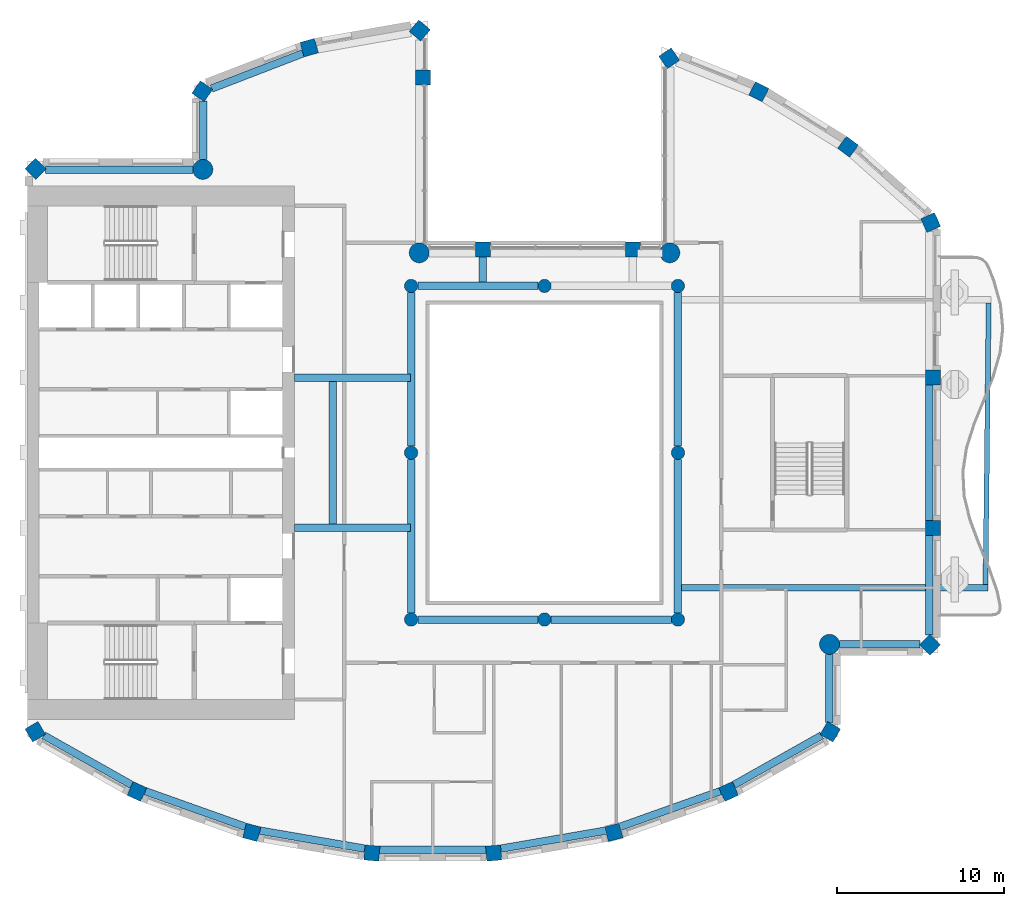
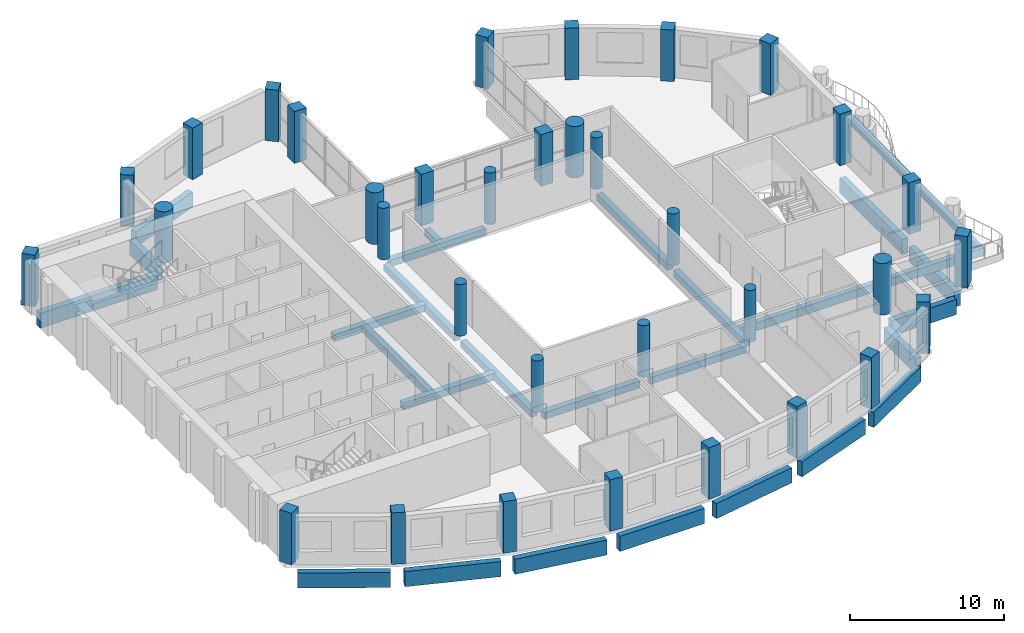
# One storey, part 1 of 15: 34 columns, 27 beams.
"""IFC4 building model written with IfcOpenShell, lengths in metres."""

from ifc_helpers import new_model, si_unit, direction, frame, origin, origin_2d, place, context, subcontext, project, spatial, rectangle, circle, extrude, material, material_profile, profile_set, type_object, element, save


model = new_model("IFC4")

# Units and contexts
model_context = context("Model", 3, precision=1e-05, world=origin(), true_north=direction((0.0, 1.0)))
body_context = subcontext(model_context, "Body", "Model", "MODEL_VIEW")
ifc_project = project(units=[si_unit("LENGTHUNIT", "METRE"), si_unit("AREAUNIT", "SQUARE_METRE"), si_unit("VOLUMEUNIT", "CUBIC_METRE"), si_unit("PLANEANGLEUNIT", "RADIAN"), si_unit("MASSUNIT", "GRAM", prefix="KILO")], contexts=[model_context])

# Site, building, storey
site_placement = place(None, origin())
site = spatial("IfcSite", under=ifc_project, at=site_placement, CompositionType="ELEMENT")
building_placement = place(site_placement, origin())
building = spatial("IfcBuilding", under=site, at=building_placement, Name="Cypress Arch Tower", CompositionType="ELEMENT")
storey_placement = place(building_placement, frame((0.0, 0.0, 321.300048828125)))
storey = spatial("IfcBuildingStorey", under=building, at=storey_placement, Name="L73", CompositionType="ELEMENT", Elevation=321.300048828125)

# Columns
ifc_material_1 = material(Name="Concrete C60/75", Category="concrete")
ifc_material_profile_1 = material_profile(ifc_material_1, rectangle(XDim=0.89990234375, YDim=0.89990234375, at=origin_2d()), Name="RC 900x900")
ifc_profile_set_1 = profile_set([ifc_material_profile_1], Name="Concrete C60/75")
column_type_1 = type_object("IfcColumnType", Name="Column RC 900x900 Concrete C60/75", PredefinedType="COLUMN", material=ifc_profile_set_1)
for number, where, z_axis, x_axis, name in (
    (1, (8.474853515625, 23.6474609375, 0.0), (0.0, 0.0, 1.0), (-0.828469606019, -0.560034027451, 0.0), "Column L73 CC00"),
    (2, (6.300048828125, 12.199951171875, 0.0), (0.0, 0.0, 1.0), (-1.0, 0.0, 0.0), "Column L73 CC02"),
    (3, (-2.699951171875, 12.199951171875, 0.0), (0.0, 0.0, 1.0), (-1.0, 0.0, 0.0), "Column L73 CC03"),
    (4, (-6.300048828125, 22.5, 0.0), (0.0, 0.0, 1.0), (0.0, 1.0, 0.0), "Column L73 CC05"),
    (5, (-6.48388671875, 25.313232421875, 0.0), (0.0, 0.0, 1.0), (-0.766063514674, 0.642764880407, 0.0), "Column L73 CC06"),
    (6, (-13.108154296875, 24.28955078125, 0.0), (0.0, 0.0, 1.0), (-0.96345574646, -0.267867550506, 0.0), "Column L73 CC07"),
    (7, (-19.5244140625, 21.673583984375, 0.0), (0.0, 0.0, 1.0), (-0.565892599589, -0.824478966215, 0.0), "Column L73 CC08"),
    (8, (-29.513671875, 17.013671875, 0.0), (0.0, 0.0, 1.0), (-0.707106781187, -0.707106781187, 0.0), "Column L73 CC10"),
    (9, (-29.534423828125, -16.72802734375, 0.0), (0.0, 0.0, 1.0), (0.504399289829, -0.86347053014, 0.0), "Column L73 CC11"),
    (10, (-23.439697265625, -20.312255859375, 0.0), (0.0, 0.0, 1.0), (0.909932071487, -0.414757308891, 0.0), "Column L73 CC12"),
    (11, (-16.55419921875, -22.762939453125, 0.0), (0.0, 0.0, 1.0), (0.96735573689, -0.2534223319, 0.0), "Column L73 CC13"),
    (12, (-9.351318359375, -24.00341796875, 0.0), (0.0, 0.0, 1.0), (0.996368206733, -0.085149260784, 0.0), "Column L73 CC14"),
    (13, (-2.048828125, -24.00341796875, 0.0), (0.0, 0.0, 1.0), (0.996368206733, 0.085149260784, 0.0), "Column L73 CC15"),
    (14, (5.154296875, -22.762939453125, 0.0), (0.0, 0.0, 1.0), (0.96735573689, 0.2534223319, 0.0), "Column L73 CC16"),
    (15, (12.039794921875, -20.312255859375, 0.0), (0.0, 0.0, 1.0), (0.909932071487, 0.414757308891, 0.0), "Column L73 CC17"),
    (16, (18.134521484375, -16.72802734375, 0.0), (0.0, 0.0, 1.0), (0.504399289829, 0.86347053014, 0.0), "Column L73 CC18"),
    (17, (24.113525390625, -11.513671875, 0.0), (0.0, 0.0, 1.0), (0.707106781187, 0.707106781187, 0.0), "Column L73 CC20"),
    (18, (24.300048828125, -4.5, 0.0), (0.0, 0.0, 1.0), (0.0, 1.0, 0.0), "Column L73 CC21"),
    (19, (24.300048828125, 4.5, 0.0), (0.0, 0.0, 1.0), (0.0, 1.0, 0.0), "Column L73 CC22"),
    (20, (24.155029296875, 13.800048828125, 0.0), (0.0, 0.0, 1.0), (-0.409765058504, 0.912191096662, 0.0), "Column L73 CC23"),
    (21, (19.197998046875, 18.347900390625, 0.0), (0.0, 0.0, 1.0), (-0.802798546114, 0.596250362144, 0.0), "Column L73 CC24"),
    (22, (13.84814453125, 21.638427734375, 0.0), (0.0, 0.0, 1.0), (-0.893106499805, 0.44984528452, 0.0), "Column L73 CC25"),
):
    element("IfcColumn", number, at=place(storey_placement, frame(where, z_axis=z_axis, x_axis=x_axis)), inside=storey, type_object=column_type_1, Name=name, PredefinedType="COLUMN", context=body_context, shape_type="SweptSolid", body=[
        extrude(rectangle(XDim=0.89990234375, YDim=0.89990234375, at=origin_2d()), origin(), (0.0, 0.0, 1.0), 4.099853515625),
    ])
ifc_material_2 = material(Name="Concrete C60/75", Category="concrete")
ifc_material_profile_2 = material_profile(ifc_material_2, circle(Radius=0.39990234375, at=origin_2d()), Name="RC D800")
ifc_profile_set_2 = profile_set([ifc_material_profile_2], Name="Concrete C60/75")
column_type_2 = type_object("IfcColumnType", Name="Column RC D800 Concrete C60/75", PredefinedType="COLUMN", material=ifc_profile_set_2)
for number, where, z_axis, x_axis, name in (
    (23, (-7.0, -10.0, 0.0), (0.0, 0.0, 1.0), (1.0, 0.0, 0.0), "Column L73 RNG-L73-G-7-10"),
    (24, (-7.0, 0.0, 0.0), (0.0, 0.0, 1.0), (1.0, 0.0, 0.0), "Column L73 RNG-L73-G-7+0"),
    (25, (-7.0, 10.0, 0.0), (0.0, 0.0, 1.0), (1.0, 0.0, 0.0), "Column L73 RNG-L73-G-7+10"),
    (26, (1.0, -10.0, 0.0), (0.0, 0.0, 1.0), (1.0, 0.0, 0.0), "Column L73 RNG-L73-G+1-10"),
    (27, (1.0, 10.0, 0.0), (0.0, 0.0, 1.0), (1.0, 0.0, 0.0), "Column L73 RNG-L73-G+1+10"),
    (28, (9.0, -10.0, 0.0), (0.0, 0.0, 1.0), (1.0, 0.0, 0.0), "Column L73 RNG-L73-G+9-10"),
    (29, (9.0, 0.0, 0.0), (0.0, 0.0, 1.0), (1.0, 0.0, 0.0), "Column L73 RNG-L73-G+9+0"),
    (30, (9.0, 10.0, 0.0), (0.0, 0.0, 1.0), (1.0, 0.0, 0.0), "Column L73 RNG-L73-G+9+10"),
):
    element("IfcColumn", number, at=place(storey_placement, frame(where, z_axis=z_axis, x_axis=x_axis)), inside=storey, type_object=column_type_2, Name=name, PredefinedType="COLUMN", context=body_context, shape_type="SweptSolid", body=[
        extrude(circle(Radius=0.39990234375, at=origin_2d()), origin(), (0.0, 0.0, 1.0), 4.099853515625),
    ])
ifc_material_3 = material(Name="Concrete C60/75", Category="concrete")
ifc_material_profile_3 = material_profile(ifc_material_3, circle(Radius=0.60009765625, at=origin_2d()), Name="RC D1200")
ifc_profile_set_3 = profile_set([ifc_material_profile_3], Name="Concrete C60/75")
column_type_3 = type_object("IfcColumnType", Name="Mega-column RC D1200 Concrete C60/75", PredefinedType="COLUMN", material=ifc_profile_set_3)
for number, where, z_axis, x_axis, name in (
    (31, (8.51220703125, 11.98779296875, 0.0), (0.0, 0.0, 1.0), (1.0, 0.0, 0.0), "Column L73 CC01"),
    (32, (-6.51220703125, 11.98779296875, 0.0), (0.0, 0.0, 1.0), (1.0, 0.0, 0.0), "Column L73 CC04"),
    (33, (-19.48779296875, 16.98779296875, 0.0), (0.0, 0.0, 1.0), (1.0, 0.0, 0.0), "Column L73 CC09"),
    (34, (18.087890625, -11.48779296875, 0.0), (0.0, 0.0, 1.0), (1.0, 0.0, 0.0), "Column L73 CC19"),
):
    element("IfcColumn", number, at=place(storey_placement, frame(where, z_axis=z_axis, x_axis=x_axis)), inside=storey, type_object=column_type_3, Name=name, PredefinedType="COLUMN", context=body_context, shape_type="SweptSolid", body=[
        extrude(circle(Radius=0.60009765625, at=origin_2d()), origin(), (0.0, 0.0, 1.0), 4.099853515625),
    ])

# Beams
ifc_material_4 = material(Name="Concrete C50/60", Category="concrete")
ifc_material_profile_4 = material_profile(ifc_material_4, rectangle(XDim=0.300048828125, YDim=0.64990234375, at=origin_2d()), Name="RC 300x650")
ifc_profile_set_4 = profile_set([ifc_material_profile_4], Name="Concrete C50/60")
beam_type_1 = type_object("IfcBeamType", Name="Balcony edge beam RC 300x650 Concrete C50/60", PredefinedType="BEAM", material=ifc_profile_set_4)
beam_1_placement = place(storey_placement, frame((27.44189453125, -7.89990234375, -0.625), z_axis=(0.011134362027, 0.99993801107, 0.0), x_axis=(-0.99993801107, 0.011134362027, 0.0)))
element("IfcBeam", 35, at=beam_1_placement, inside=storey, type_object=beam_type_1, Name="Balcony edge beam L73 C17", PredefinedType="BEAM", context=body_context, shape_type="SweptSolid", body=[
    extrude(rectangle(XDim=0.300048828125, YDim=0.64990234375, at=origin_2d()), origin(), (0.0, 0.0, 1.0), 16.883544921875),
])
ifc_material_5 = material(Name="Concrete C50/60", Category="concrete")
ifc_material_profile_5 = material_profile(ifc_material_5, rectangle(XDim=0.39990234375, YDim=0.64990234375, at=origin_2d()), Name="RC 400x650")
ifc_profile_set_5 = profile_set([ifc_material_profile_5], Name="Concrete C50/60")
beam_type_2 = type_object("IfcBeamType", Name="Cantilever beam RC 400x650 Concrete C50/60", PredefinedType="BEAM", material=ifc_profile_set_5)
beam_2_placement = place(storey_placement, frame((9.22509765625, -8.10009765625, -0.625), z_axis=(1.0, 0.0, 0.0), x_axis=(0.0, 1.0, 0.0)))
element("IfcBeam", 36, at=beam_2_placement, inside=storey, type_object=beam_type_2, Name="Cantilever beam L73 C17 1", PredefinedType="BEAM", context=body_context, shape_type="SweptSolid", body=[
    extrude(rectangle(XDim=0.39990234375, YDim=0.64990234375, at=origin_2d()), origin(), (0.0, 0.0, 1.0), 18.36669921875),
])
ifc_material_6 = material(Name="Concrete C50/60", Category="concrete")
ifc_material_profile_6 = material_profile(ifc_material_6, rectangle(XDim=0.449951171875, YDim=0.550048828125, at=origin_2d()), Name="RC 450x550")
ifc_profile_set_6 = profile_set([ifc_material_profile_6], Name="Concrete C50/60")
beam_type_3 = type_object("IfcBeamType", Name="Floor beam RC 450x550 Concrete C50/60", PredefinedType="BEAM", material=ifc_profile_set_6)
for number, where, z_axis, x_axis, name in (
    (37, (-7.0, -9.60009765625, -0.574951171875), (0.0, 1.0, 0.0), (-1.0, 0.0, 0.0), "Floor beam L73 RB001"),
    (38, (-7.0, 0.39990234375, -0.574951171875), (0.0, 1.0, 0.0), (-1.0, 0.0, 0.0), "Floor beam L73 RB002"),
    (39, (9.0, -9.60009765625, -0.574951171875), (0.0, 1.0, 0.0), (-1.0, 0.0, 0.0), "Floor beam L73 RB003"),
    (40, (9.0, 0.39990234375, -0.574951171875), (0.0, 1.0, 0.0), (-1.0, 0.0, 0.0), "Floor beam L73 RB004"),
):
    element("IfcBeam", number, at=place(storey_placement, frame(where, z_axis=z_axis, x_axis=x_axis)), inside=storey, type_object=beam_type_3, Name=name, PredefinedType="BEAM", context=body_context, shape_type="SweptSolid", body=[
        extrude(rectangle(XDim=0.449951171875, YDim=0.550048828125, at=origin_2d()), origin(), (0.0, 0.0, 1.0), 9.2001953125),
    ])
for number, where, z_axis, x_axis, name in (
    (41, (-6.60009765625, -10.0, -0.574951171875), (1.0, 0.0, 0.0), (0.0, 1.0, 0.0), "Floor beam L73 RB005"),
    (42, (1.39990234375, -10.0, -0.574951171875), (1.0, 0.0, 0.0), (0.0, 1.0, 0.0), "Floor beam L73 RB006"),
    (43, (-6.60009765625, 10.0, -0.574951171875), (1.0, 0.0, 0.0), (0.0, 1.0, 0.0), "Floor beam L73 RB007"),
):
    element("IfcBeam", number, at=place(storey_placement, frame(where, z_axis=z_axis, x_axis=x_axis)), inside=storey, type_object=beam_type_3, Name=name, PredefinedType="BEAM", context=body_context, shape_type="SweptSolid", body=[
        extrude(rectangle(XDim=0.449951171875, YDim=0.550048828125, at=origin_2d()), origin(), (0.0, 0.0, 1.0), 7.2001953125),
    ])
for number, where, z_axis, x_axis, name in (
    (44, (-14.0, -4.5, -0.574951171875), (1.0, 0.0, 0.0), (0.0, 1.0, 0.0), "Floor beam L73 FB009"),
    (45, (-14.0, 4.5, -0.574951171875), (1.0, 0.0, 0.0), (0.0, 1.0, 0.0), "Floor beam L73 FB010"),
):
    element("IfcBeam", number, at=place(storey_placement, frame(where, z_axis=z_axis, x_axis=x_axis)), inside=storey, type_object=beam_type_3, Name=name, PredefinedType="BEAM", context=body_context, shape_type="SweptSolid", body=[
        extrude(rectangle(XDim=0.449951171875, YDim=0.550048828125, at=origin_2d()), origin(), (0.0, 0.0, 1.0), 6.949951171875),
    ])
beam_3_placement = place(storey_placement, frame((-11.699951171875, -4.27490234375, -0.574951171875), z_axis=(0.0, 1.0, 0.0), x_axis=(-1.0, 0.0, 0.0)))
element("IfcBeam", 46, at=beam_3_placement, inside=storey, type_object=beam_type_3, Name="Floor beam L73 FB011", PredefinedType="BEAM", context=body_context, shape_type="SweptSolid", body=[
    extrude(rectangle(XDim=0.449951171875, YDim=0.550048828125, at=origin_2d()), origin(), (0.0, 0.0, 1.0), 8.5498046875),
])
beam_4_placement = place(storey_placement, frame((-2.699951171875, 10.22509765625, -0.574951171875), z_axis=(0.0, 1.0, 0.0), x_axis=(-1.0, 0.0, 0.0)))
element("IfcBeam", 47, at=beam_4_placement, inside=storey, type_object=beam_type_3, Name="Floor beam L73 FB012", PredefinedType="BEAM", context=body_context, shape_type="SweptSolid", body=[
    extrude(rectangle(XDim=0.449951171875, YDim=0.550048828125, at=origin_2d()), origin(), (0.0, 0.0, 1.0), 1.52490234375),
])
ifc_material_7 = material(Name="Concrete C50/60", Category="concrete")
ifc_material_profile_7 = material_profile(ifc_material_7, rectangle(XDim=0.449951171875, YDim=1.199951171875, at=origin_2d()), Name="RC 450x1200")
ifc_profile_set_7 = profile_set([ifc_material_profile_7], Name="Concrete C50/60")
beam_type_4 = type_object("IfcBeamType", Name="Spandrel beam RC 450x1200 Concrete C50/60", PredefinedType="SPANDREL", material=ifc_profile_set_7)
beam_5_placement = place(storey_placement, frame((-13.48046875, 23.94921875, -1.550048828125), z_axis=(-0.933138853319, -0.359516175472, 0.0), x_axis=(0.359516175472, -0.933138853319, 0.0)))
element("IfcBeam", 48, at=beam_5_placement, inside=storey, type_object=beam_type_4, Name="Spandrel beam L73 BC04-0", PredefinedType="SPANDREL", context=body_context, shape_type="SweptSolid", body=[
    extrude(rectangle(XDim=0.449951171875, YDim=1.199951171875, at=origin_2d()), origin(), (0.0, 0.0, 1.0), 5.878173828125),
])
beam_6_placement = place(storey_placement, frame((-19.47509765625, 21.09375, -1.550048828125), z_axis=(0.0, -1.0, 0.0), x_axis=(1.0, 0.0, 0.0)))
element("IfcBeam", 49, at=beam_6_placement, inside=storey, type_object=beam_type_4, Name="Spandrel beam L73 BC05-0", PredefinedType="SPANDREL", context=body_context, shape_type="SweptSolid", body=[
    extrude(rectangle(XDim=0.449951171875, YDim=1.199951171875, at=origin_2d()), origin(), (0.0, 0.0, 1.0), 3.506103515625),
])
beam_7_placement = place(storey_placement, frame((-20.087646484375, 16.97509765625, -1.550048828125), z_axis=(-1.0, 0.0, 0.0), x_axis=(0.0, -1.0, 0.0)))
element("IfcBeam", 50, at=beam_7_placement, inside=storey, type_object=beam_type_4, Name="Spandrel beam L73 BC06-0", PredefinedType="SPANDREL", context=body_context, shape_type="SweptSolid", body=[
    extrude(rectangle(XDim=0.449951171875, YDim=1.199951171875, at=origin_2d()), origin(), (0.0, 0.0, 1.0), 8.828125),
])
beam_8_placement = place(storey_placement, frame((-29.02099609375, -16.94921875, -1.550048828125), z_axis=(0.871059543975, -0.491177433165, 0.0), x_axis=(0.491177433165, 0.871059543975, 0.0)))
element("IfcBeam", 51, at=beam_8_placement, inside=storey, type_object=beam_type_4, Name="Spandrel beam L73 BC08-0", PredefinedType="SPANDREL", context=body_context, shape_type="SweptSolid", body=[
    extrude(rectangle(XDim=0.449951171875, YDim=1.199951171875, at=origin_2d()), origin(), (0.0, 0.0, 1.0), 6.045654296875),
])
beam_9_placement = place(storey_placement, frame((-22.93603515625, -20.2919921875, -1.550048828125), z_axis=(0.942120065582, -0.33527568064, 0.0), x_axis=(0.33527568064, 0.942120065582, 0.0)))
element("IfcBeam", 52, at=beam_9_placement, inside=storey, type_object=beam_type_4, Name="Spandrel beam L73 BC09-0", PredefinedType="SPANDREL", context=body_context, shape_type="SweptSolid", body=[
    extrude(rectangle(XDim=0.449951171875, YDim=1.199951171875, at=origin_2d()), origin(), (0.0, 0.0, 1.0), 6.373046875),
])
beam_10_placement = place(storey_placement, frame((-16.061279296875, -22.656982421875, -1.550048828125), z_axis=(0.985502990778, -0.169658053646, 0.0), x_axis=(0.169658053646, 0.985502990778, 0.0)))
element("IfcBeam", 53, at=beam_10_placement, inside=storey, type_object=beam_type_4, Name="Spandrel beam L73 BC10-0", PredefinedType="SPANDREL", context=body_context, shape_type="SweptSolid", body=[
    extrude(rectangle(XDim=0.449951171875, YDim=1.199951171875, at=origin_2d()), origin(), (0.0, 0.0, 1.0), 6.373291015625),
])
beam_11_placement = place(storey_placement, frame((-8.883544921875, -23.81494140625, -1.550048828125), z_axis=(1.0, 0.0, 0.0), x_axis=(0.0, 1.0, 0.0)))
element("IfcBeam", 54, at=beam_11_placement, inside=storey, type_object=beam_type_4, Name="Spandrel beam L73 BC11-0", PredefinedType="SPANDREL", context=body_context, shape_type="SweptSolid", body=[
    extrude(rectangle(XDim=0.449951171875, YDim=1.199951171875, at=origin_2d()), origin(), (0.0, 0.0, 1.0), 6.366943359375),
])
beam_12_placement = place(storey_placement, frame((-1.619873046875, -23.73828125, -1.550048828125), z_axis=(0.985504093315, 0.169651649149, 0.0), x_axis=(-0.169651649149, 0.985504093315, 0.0)))
element("IfcBeam", 55, at=beam_12_placement, inside=storey, type_object=beam_type_4, Name="Spandrel beam L73 BC12-0", PredefinedType="SPANDREL", context=body_context, shape_type="SweptSolid", body=[
    extrude(rectangle(XDim=0.449951171875, YDim=1.199951171875, at=origin_2d()), origin(), (0.0, 0.0, 1.0), 6.37353515625),
])
beam_13_placement = place(storey_placement, frame((5.531982421875, -22.4287109375, -1.550048828125), z_axis=(0.942115759102, 0.335287781541, 0.0), x_axis=(-0.335287781541, 0.942115759102, 0.0)))
element("IfcBeam", 56, at=beam_13_placement, inside=storey, type_object=beam_type_4, Name="Spandrel beam L73 BC13-0", PredefinedType="SPANDREL", context=body_context, shape_type="SweptSolid", body=[
    extrude(rectangle(XDim=0.449951171875, YDim=1.199951171875, at=origin_2d()), origin(), (0.0, 0.0, 1.0), 6.372802734375),
])
beam_14_placement = place(storey_placement, frame((12.35498046875, -19.918701171875, -1.550048828125), z_axis=(0.871059543975, 0.491177433165, 0.0), x_axis=(-0.491177433165, 0.871059543975, 0.0)))
element("IfcBeam", 57, at=beam_14_placement, inside=storey, type_object=beam_type_4, Name="Spandrel beam L73 BC14-0", PredefinedType="SPANDREL", context=body_context, shape_type="SweptSolid", body=[
    extrude(rectangle(XDim=0.449951171875, YDim=1.199951171875, at=origin_2d()), origin(), (0.0, 0.0, 1.0), 6.045654296875),
])
beam_15_placement = place(storey_placement, frame((18.074951171875, -16.172119140625, -1.550048828125), z_axis=(0.0, 1.0, 0.0), x_axis=(-1.0, 0.0, 0.0)))
element("IfcBeam", 58, at=beam_15_placement, inside=storey, type_object=beam_type_4, Name="Spandrel beam L73 BC15-0", PredefinedType="SPANDREL", context=body_context, shape_type="SweptSolid", body=[
    extrude(rectangle(XDim=0.449951171875, YDim=1.199951171875, at=origin_2d()), origin(), (0.0, 0.0, 1.0), 4.08447265625),
])
beam_16_placement = place(storey_placement, frame((18.6875, -11.47509765625, -1.550048828125), z_axis=(1.0, 0.0, 0.0), x_axis=(0.0, 1.0, 0.0)))
element("IfcBeam", 59, at=beam_16_placement, inside=storey, type_object=beam_type_4, Name="Spandrel beam L73 BC16-0", PredefinedType="SPANDREL", context=body_context, shape_type="SweptSolid", body=[
    extrude(rectangle(XDim=0.449951171875, YDim=1.199951171875, at=origin_2d()), origin(), (0.0, 0.0, 1.0), 4.828369140625),
])
beam_17_placement = place(storey_placement, frame((24.074951171875, -10.915771484375, -1.550048828125), z_axis=(0.0, 1.0, 0.0), x_axis=(-1.0, 0.0, 0.0)))
element("IfcBeam", 60, at=beam_17_placement, inside=storey, type_object=beam_type_4, Name="Spandrel beam L73 BC17-0", PredefinedType="SPANDREL", context=body_context, shape_type="SweptSolid", body=[
    extrude(rectangle(XDim=0.449951171875, YDim=1.199951171875, at=origin_2d()), origin(), (0.0, 0.0, 1.0), 5.9658203125),
])
beam_18_placement = place(storey_placement, frame((24.074951171875, -4.050048828125, -1.550048828125), z_axis=(0.0, 1.0, 0.0), x_axis=(-1.0, 0.0, 0.0)))
element("IfcBeam", 61, at=beam_18_placement, inside=storey, type_object=beam_type_4, Name="Spandrel beam L73 BC17-1", PredefinedType="SPANDREL", context=body_context, shape_type="SweptSolid", body=[
    extrude(rectangle(XDim=0.449951171875, YDim=1.199951171875, at=origin_2d()), origin(), (0.0, 0.0, 1.0), 8.10009765625),
])

save(model, "model.ifc")
